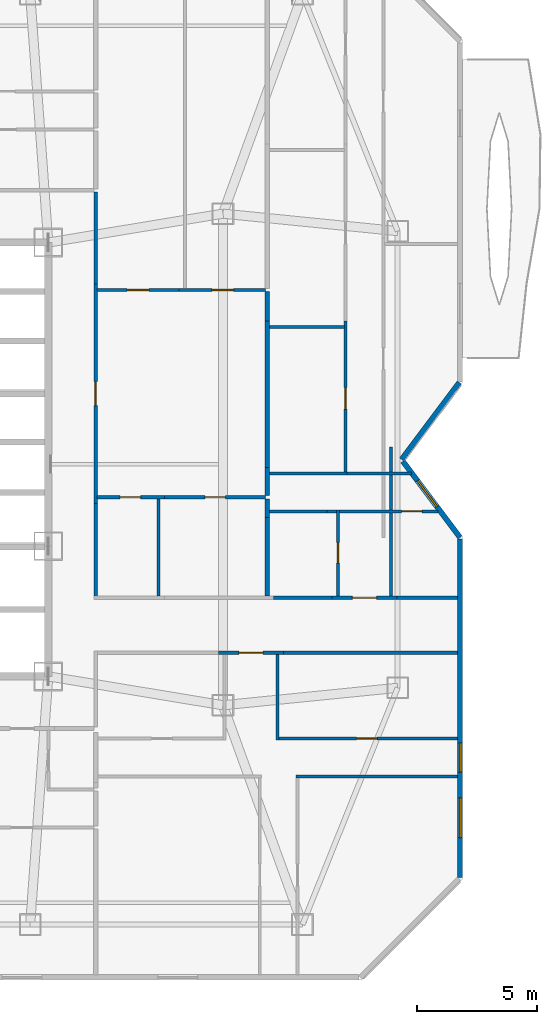
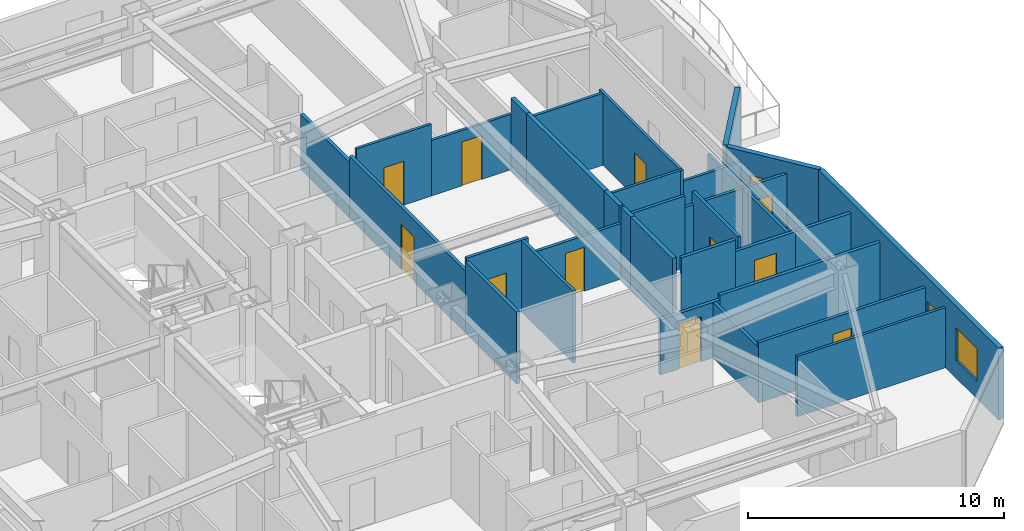
# One storey, part 11 of 16: 32 walls, 11 doors, 3 windows, 14 openings.
"""IFC4 building model written with IfcOpenShell, lengths in metres."""

from ifc_helpers import new_model, si_unit, direction, frame, frame_2d, origin, place, context, subcontext, project, spatial, rectangle, extrude, material, layer, layer_set, type_object, element, fill, save


model = new_model("IFC4")

# Units and contexts
model_context = context("Model", 3, precision=1e-05, world=origin(), true_north=direction((0.0, 1.0)))
body_context = subcontext(model_context, "Body", "Model", "MODEL_VIEW")
ifc_project = project(units=[si_unit("LENGTHUNIT", "METRE"), si_unit("AREAUNIT", "SQUARE_METRE"), si_unit("VOLUMEUNIT", "CUBIC_METRE"), si_unit("PLANEANGLEUNIT", "RADIAN"), si_unit("MASSUNIT", "GRAM", prefix="KILO")], contexts=[model_context])

# Site, building, storey
site_placement = place(None, origin())
site = spatial("IfcSite", under=ifc_project, at=site_placement, CompositionType="ELEMENT")
building_placement = place(site_placement, origin())
building = spatial("IfcBuilding", under=site, at=building_placement, Name="Khamvora Tower", CompositionType="ELEMENT")
storey_placement = place(building_placement, frame((0.0, 0.0, 134.75)))
storey = spatial("IfcBuildingStorey", under=building, at=storey_placement, Name="L34", CompositionType="ELEMENT", Elevation=134.75)

# Wall, opening, door
ifc_material_1 = material(Name="Fire-Rated Drywall and Steel Stud", Category="steel")
ifc_layer_1 = layer(ifc_material_1, 0.14990234375)
ifc_layer_set_1 = layer_set([ifc_layer_1], Name="Fire-Rated Drywall and Steel Stud")
wall_type_1 = type_object("IfcWallType", Name="WAL-CORR-150", PredefinedType="STANDARD", material=ifc_layer_set_1)
wall_1_placement = place(storey_placement, frame((49.158935546875, 19.985107421875, 0.0), z_axis=(0.0, 0.0, 1.0), x_axis=(-1.0, 0.0, 0.0)))
wall_1 = element("IfcWall", 1, at=wall_1_placement, inside=storey, type_object=wall_type_1, Name="L34 interior partition wall 033", PredefinedType="STANDARD", context=body_context, shape_type="SweptSolid", body=[
    extrude(rectangle(XDim=2.697998046875, YDim=0.14990234375, at=frame_2d((1.34912109375, 0.0))), origin(), (0.0, 0.0, 1.0), 2.64697265625),
])
opening_1_placement = place(wall_1_placement, frame((0.84912109375, 0.0, 0.0)))
opening_1 = element("IfcOpeningElement", 2, at=opening_1_placement, cuts=wall_1, Name="Opening D-U1", PredefinedType="OPENING", context=body_context, shape_type="SweptSolid", body=[
    extrude(rectangle(XDim=1.0, YDim=2.14990234375, at=frame_2d((0.5, 1.074951171875))), frame((0.0, 0.0849609375, 0.0), z_axis=(0.0, -1.0, 0.0), x_axis=(1.0, 0.0, 0.0)), (0.0, 0.0, 1.0), 0.169921875),
])
ifc_material_2 = material(Name="Powder-Coated Steel and Hardwood Leaf", Category="steel")
door_type_1 = type_object("IfcDoorType", Name="DOR-UNIT-1000", OperationType="NOTDEFINED", PredefinedType="DOOR", material=ifc_material_2)
door_1_placement = place(opening_1_placement, origin())
door_1 = element("IfcDoor", 3, at=door_1_placement, inside=storey, type_object=door_type_1, Name="L34 interior door COR-34EAH", OperationType="SINGLE_SWING_RIGHT", OverallHeight=2.14990234375, OverallWidth=1.0, PredefinedType="DOOR", context=body_context, shape_type="SweptSolid", body=[
    extrude(rectangle(XDim=1.0, YDim=2.14990234375, at=frame_2d((0.5, 1.074951171875))), frame((0.0, 0.02490234375, 0.0), z_axis=(0.0, -1.0, 0.0), x_axis=(1.0, 0.0, 0.0)), (0.0, 0.0, 1.0), 0.050048828125),
])
fill(opening_1, door_1)

# Wall
wall_2_placement = place(storey_placement, frame((56.387939453125, 19.985107421875, 0.0), z_axis=(0.0, 0.0, 1.0), x_axis=(-1.0, 0.0, 0.0)))
element("IfcWall", 4, at=wall_2_placement, inside=storey, type_object=wall_type_1, Name="L34 interior partition wall 036", PredefinedType="STANDARD", context=body_context, shape_type="SweptSolid", body=[
    extrude(rectangle(XDim=7.22900390625, YDim=0.14990234375, at=frame_2d((3.614501953125, 0.0))), origin(), (0.0, 0.0, 1.0), 2.8759765625),
])

# Wall, opening, door
wall_3_placement = place(storey_placement, frame((41.364990234375, 35.279052734375, 0.0), z_axis=(0.0, 0.0, 1.0), x_axis=(0.0, -1.0, 0.0)))
wall_3 = element("IfcWall", 5, at=wall_3_placement, inside=storey, type_object=wall_type_1, Name="L34 interior partition wall 037", PredefinedType="STANDARD", context=body_context, shape_type="SweptSolid", body=[
    extrude(rectangle(XDim=9.09814453125, YDim=0.14990234375, at=frame_2d((4.549072265625, 0.0))), origin(), (0.0, 0.0, 1.0), 2.9609375),
])
opening_2_placement = place(wall_3_placement, frame((4.049072265625, 0.0, 0.0)))
opening_2 = element("IfcOpeningElement", 6, at=opening_2_placement, cuts=wall_3, Name="Opening D-U1", PredefinedType="OPENING", context=body_context, shape_type="SweptSolid", body=[
    extrude(rectangle(XDim=1.0, YDim=2.14990234375, at=frame_2d((0.5, 1.074951171875))), frame((0.0, 0.0849609375, 0.0), z_axis=(0.0, -1.0, 0.0), x_axis=(1.0, 0.0, 0.0)), (0.0, 0.0, 1.0), 0.169921875),
])
door_2_placement = place(opening_2_placement, origin())
door_2 = element("IfcDoor", 7, at=door_2_placement, inside=storey, type_object=door_type_1, Name="L34 interior door COR-34EBH", OperationType="SINGLE_SWING_LEFT", OverallHeight=2.14990234375, OverallWidth=1.0, PredefinedType="DOOR", context=body_context, shape_type="SweptSolid", body=[
    extrude(rectangle(XDim=1.0, YDim=2.14990234375, at=frame_2d((0.5, 1.074951171875))), frame((0.0, 0.02490234375, 0.0), z_axis=(0.0, -1.0, 0.0), x_axis=(1.0, 0.0, 0.0)), (0.0, 0.0, 1.0), 0.050048828125),
])
fill(opening_2, door_2)

# Walls
wall_4_placement = place(storey_placement, frame((41.364990234375, 26.180908203125, 0.0), z_axis=(0.0, 0.0, 1.0), x_axis=(0.0, -1.0, 0.0)))
element("IfcWall", 8, at=wall_4_placement, inside=storey, type_object=wall_type_1, Name="L34 interior partition wall 038", PredefinedType="STANDARD", context=body_context, shape_type="SweptSolid", body=[
    extrude(rectangle(XDim=3.98095703125, YDim=0.14990234375, at=frame_2d((1.990478515625, 0.0))), origin(), (0.0, 0.0, 1.0), 3.429931640625),
])
wall_5_placement = place(storey_placement, frame((41.364990234375, 39.10009765625, 0.0), z_axis=(0.0, 0.0, 1.0), x_axis=(0.0, -1.0, 0.0)))
element("IfcWall", 9, at=wall_5_placement, inside=storey, type_object=wall_type_1, Name="L34 interior partition wall 041", PredefinedType="STANDARD", context=body_context, shape_type="SweptSolid", body=[
    extrude(rectangle(XDim=3.821044921875, YDim=0.14990234375, at=frame_2d((1.91064453125, 0.0))), origin(), (0.0, 0.0, 1.0), 2.64697265625),
])

# Wall, opening, door
wall_6_placement = place(storey_placement, frame((51.173095703125, 22.264892578125, 0.0), z_axis=(0.0, 0.0, 1.0), x_axis=(1.0, 0.0, 0.0)))
wall_6 = element("IfcWall", 10, at=wall_6_placement, inside=storey, type_object=wall_type_1, Name="L34 interior partition wall 042", PredefinedType="STANDARD", context=body_context, shape_type="SweptSolid", body=[
    extrude(rectangle(XDim=2.698974609375, YDim=0.14990234375, at=frame_2d((1.349609375, 0.0))), origin(), (0.0, 0.0, 1.0), 2.8759765625),
])
opening_3_placement = place(wall_6_placement, frame((0.84912109375, 0.0, 0.0)))
opening_3 = element("IfcOpeningElement", 11, at=opening_3_placement, cuts=wall_6, Name="Opening D-U1", PredefinedType="OPENING", context=body_context, shape_type="SweptSolid", body=[
    extrude(rectangle(XDim=1.0, YDim=2.14990234375, at=frame_2d((0.5, 1.074951171875))), frame((0.0, 0.0849609375, 0.0), z_axis=(0.0, -1.0, 0.0), x_axis=(1.0, 0.0, 0.0)), (0.0, 0.0, 1.0), 0.169921875),
])
door_3_placement = place(opening_3_placement, origin())
door_3 = element("IfcDoor", 12, at=door_3_placement, inside=storey, type_object=door_type_1, Name="L34 interior door COR-34ECH", OperationType="SINGLE_SWING_RIGHT", OverallHeight=2.14990234375, OverallWidth=1.0, PredefinedType="DOOR", context=body_context, shape_type="SweptSolid", body=[
    extrude(rectangle(XDim=1.0, YDim=2.14990234375, at=frame_2d((0.5, 1.074951171875))), frame((0.0, 0.02490234375, 0.0), z_axis=(0.0, -1.0, 0.0), x_axis=(1.0, 0.0, 0.0)), (0.0, 0.0, 1.0), 0.050048828125),
])
fill(opening_3, door_3)

# Walls
wall_7_placement = place(storey_placement, frame((53.8720703125, 22.264892578125, 0.0), z_axis=(0.0, 0.0, 1.0), x_axis=(1.0, 0.0, 0.0)))
element("IfcWall", 13, at=wall_7_placement, inside=storey, type_object=wall_type_1, Name="L34 interior partition wall 043", PredefinedType="STANDARD", context=body_context, shape_type="SweptSolid", body=[
    extrude(rectangle(XDim=2.515869140625, YDim=0.14990234375, at=frame_2d((1.2578125, 0.0))), origin(), (0.0, 0.0, 1.0), 2.8759765625),
])
wall_8_placement = place(storey_placement, frame((48.739013671875, 22.264892578125, 0.0), z_axis=(0.0, 0.0, 1.0), x_axis=(1.0, 0.0, 0.0)))
element("IfcWall", 14, at=wall_8_placement, inside=storey, type_object=wall_type_1, Name="L34 interior partition wall 044", PredefinedType="STANDARD", context=body_context, shape_type="SweptSolid", body=[
    extrude(rectangle(XDim=2.43408203125, YDim=0.14990234375, at=frame_2d((1.217041015625, 0.0))), origin(), (0.0, 0.0, 1.0), 3.429931640625),
])
ifc_material_3 = material(Name="Acoustic Double-Stud Fire Wall", Category="gypsum")
ifc_layer_2 = layer(ifc_material_3, 0.179931640625)
ifc_layer_set_2 = layer_set([ifc_layer_2], Name="Acoustic Double-Stud Fire Wall")
wall_type_2 = type_object("IfcWallType", Name="WAL-CORR-180", PredefinedType="STANDARD", material=ifc_layer_set_2)
wall_9_placement = place(storey_placement, frame((48.489990234375, 27.674072265625, 0.0), z_axis=(0.0, 0.0, 1.0), x_axis=(0.0, -1.0, 0.0)))
element("IfcWall", 15, at=wall_9_placement, inside=storey, type_object=wall_type_2, Name="L34 interior partition wall 144", PredefinedType="STANDARD", context=body_context, shape_type="SweptSolid", body=[
    extrude(rectangle(XDim=1.178955078125, YDim=0.179931640625, at=frame_2d((0.58935546875, 0.0))), origin(), (0.0, 0.0, 1.0), 3.429931640625),
])
wall_10_placement = place(storey_placement, frame((48.489990234375, 33.75, 0.0), z_axis=(0.0, 0.0, 1.0), x_axis=(0.0, -1.0, 0.0)))
element("IfcWall", 16, at=wall_10_placement, inside=storey, type_object=wall_type_2, Name="L34 interior partition wall 145", PredefinedType="STANDARD", context=body_context, shape_type="SweptSolid", body=[
    extrude(rectangle(XDim=6.075927734375, YDim=0.179931640625, at=frame_2d((3.0380859375, 0.0))), origin(), (0.0, 0.0, 1.0), 3.429931640625),
])
wall_11_placement = place(storey_placement, frame((48.489990234375, 34.965087890625, 0.0), z_axis=(0.0, 0.0, 1.0), x_axis=(0.0, -1.0, 0.0)))
element("IfcWall", 17, at=wall_11_placement, inside=storey, type_object=wall_type_2, Name="L34 interior partition wall 146", PredefinedType="STANDARD", context=body_context, shape_type="SweptSolid", body=[
    extrude(rectangle(XDim=1.215087890625, YDim=0.179931640625, at=frame_2d((0.607421875, 0.0))), origin(), (0.0, 0.0, 1.0), 3.429931640625),
])
wall_12_placement = place(storey_placement, frame((48.489990234375, 26.364990234375, 0.0), z_axis=(0.0, 0.0, 1.0), x_axis=(0.0, -1.0, 0.0)))
element("IfcWall", 18, at=wall_12_placement, inside=storey, type_object=wall_type_2, Name="L34 interior partition wall 151", PredefinedType="STANDARD", context=body_context, shape_type="SweptSolid", body=[
    extrude(rectangle(XDim=0.76904296875, YDim=0.179931640625, at=frame_2d((0.384521484375, 0.0))), origin(), (0.0, 0.0, 1.0), 3.429931640625),
])
wall_13_placement = place(storey_placement, frame((48.489990234375, 25.595947265625, 0.0), z_axis=(0.0, 0.0, 1.0), x_axis=(0.0, -1.0, 0.0)))
element("IfcWall", 19, at=wall_13_placement, inside=storey, type_object=wall_type_2, Name="L34 interior partition wall 152", PredefinedType="STANDARD", context=body_context, shape_type="SweptSolid", body=[
    extrude(rectangle(XDim=3.263916015625, YDim=0.179931640625, at=frame_2d((1.6318359375, 0.0))), origin(), (0.0, 0.0, 1.0), 3.429931640625),
])
ifc_material_4 = material(Name="Precast concrete C40/50", Category="concrete")
ifc_layer_3 = layer(ifc_material_4, 0.219970703125)
ifc_layer_set_3 = layer_set([ifc_layer_3], Name="Precast concrete C40/50")
wall_type_3 = type_object("IfcWallType", Name="WAL-EXT-220", PredefinedType="STANDARD", material=ifc_layer_set_3)
wall_14_placement = place(storey_placement, frame((56.4560546875, 31.19091796875, 0.0), z_axis=(0.0, 0.0, 1.0), x_axis=(-0.600137081448, -0.799897170561, 0.0)))
element("IfcWall", 20, at=wall_14_placement, inside=storey, type_object=wall_type_3, Name="L34 exterior facade wall 10.1", PredefinedType="STANDARD", context=body_context, shape_type="SweptSolid", body=[
    extrude(rectangle(XDim=3.9892578125, YDim=0.219970703125, at=frame_2d((1.99462890625, 0.0))), origin(), (0.0, 0.0, 1.0), 3.429931640625),
])

# Wall, opening, window
wall_15_placement = place(storey_placement, frame((54.118896484375, 27.924072265625, 0.0), z_axis=(0.0, 0.0, 1.0), x_axis=(0.600039540588, -0.799970343032, 0.0)))
wall_15 = element("IfcWall", 21, at=wall_15_placement, inside=storey, type_object=wall_type_3, Name="L34 exterior facade wall 11.1", PredefinedType="STANDARD", context=body_context, shape_type="SweptSolid", body=[
    extrude(rectangle(XDim=3.95166015625, YDim=0.219970703125, at=frame_2d((1.975830078125, 0.0))), origin(), (0.0, 0.0, 1.0), 3.429931640625),
])
opening_4_placement = place(wall_15_placement, frame((1.008056640625, 0.0, 0.85009765625)))
opening_4 = element("IfcOpeningElement", 22, at=opening_4_placement, cuts=wall_15, Name="Opening WN-07", PredefinedType="OPENING", context=body_context, shape_type="SweptSolid", body=[
    extrude(rectangle(XDim=1.35009765625, YDim=1.5, at=frame_2d((0.675048828125, 0.75))), frame((0.0, 0.119873046875, 0.0), z_axis=(0.0, -1.0, 0.0), x_axis=(1.0, 0.0, 0.0)), (0.0, 0.0, 1.0), 0.239990234375),
])
ifc_material_5 = material(Name="Low-E Laminated Double Glazing", Category="glass")
window_type_1 = type_object("IfcWindowType", Name="WIN-VIS-1350x1500", PartitioningType="SINGLE_PANEL", PredefinedType="WINDOW", material=ifc_material_5)
window_1_placement = place(opening_4_placement, origin())
window_1 = element("IfcWindow", 23, at=window_1_placement, inside=storey, type_object=window_type_1, Name="L34 vision window 11.1.01", OverallHeight=1.5, OverallWidth=1.35009765625, PartitioningType="SINGLE_PANEL", PredefinedType="WINDOW", context=body_context, shape_type="SweptSolid", body=[
    extrude(rectangle(XDim=1.35009765625, YDim=1.5, at=frame_2d((0.675048828125, 0.75))), frame((0.0, 0.030029296875, 0.0), z_axis=(0.0, -1.0, 0.0), x_axis=(1.0, 0.0, 0.0)), (0.0, 0.0, 1.0), 0.06005859375),
])
fill(opening_4, window_1)

# Wall, openings, windows
wall_16_placement = place(storey_placement, frame((56.489990234375, 24.70703125, 0.0), z_axis=(0.0, 0.0, 1.0), x_axis=(0.0, -1.0, 0.0)))
wall_16 = element("IfcWall", 24, at=wall_16_placement, inside=storey, type_object=wall_type_3, Name="L34 exterior facade wall 12.1", PredefinedType="STANDARD", context=body_context, shape_type="SweptSolid", body=[
    extrude(rectangle(XDim=14.06103515625, YDim=0.219970703125, at=frame_2d((7.030517578125, 0.0))), origin(), (0.0, 0.0, 1.0), 3.429931640625),
])
opening_5_placement = place(wall_16_placement, frame((8.47607421875, 0.0, 0.800048828125)))
opening_5 = element("IfcOpeningElement", 25, at=opening_5_placement, cuts=wall_16, Name="Opening WN-03", PredefinedType="OPENING", context=body_context, shape_type="SweptSolid", body=[
    extrude(rectangle(XDim=1.199951171875, YDim=1.5, at=frame_2d((0.60009765625, 0.75))), frame((0.0, 0.119873046875, 0.0), z_axis=(0.0, -1.0, 0.0), x_axis=(1.0, 0.0, 0.0)), (0.0, 0.0, 1.0), 0.239990234375),
])
opening_6_placement = place(wall_16_placement, frame((10.74609375, 0.0, 0.85009765625)))
opening_6 = element("IfcOpeningElement", 26, at=opening_6_placement, cuts=wall_16, Name="Opening WN-06", PredefinedType="OPENING", context=body_context, shape_type="SweptSolid", body=[
    extrude(rectangle(XDim=1.64990234375, YDim=1.550048828125, at=frame_2d((0.824951171875, 0.77490234375))), frame((0.0, 0.119873046875, 0.0), z_axis=(0.0, -1.0, 0.0), x_axis=(1.0, 0.0, 0.0)), (0.0, 0.0, 1.0), 0.239990234375),
])
window_type_2 = type_object("IfcWindowType", Name="WIN-VIS-1200x1500", PartitioningType="SINGLE_PANEL", PredefinedType="WINDOW", material=ifc_material_5)
window_2_placement = place(opening_5_placement, origin())
window_2 = element("IfcWindow", 27, at=window_2_placement, inside=storey, type_object=window_type_2, Name="L34 vision window 12.1.01", OverallHeight=1.5, OverallWidth=1.199951171875, PartitioningType="SINGLE_PANEL", PredefinedType="WINDOW", context=body_context, shape_type="SweptSolid", body=[
    extrude(rectangle(XDim=1.199951171875, YDim=1.5, at=frame_2d((0.60009765625, 0.75))), frame((0.0, 0.030029296875, 0.0), z_axis=(0.0, -1.0, 0.0), x_axis=(1.0, 0.0, 0.0)), (0.0, 0.0, 1.0), 0.06005859375),
])
fill(opening_5, window_2)
window_type_3 = type_object("IfcWindowType", Name="WIN-VIS-1650x1550", PartitioningType="SINGLE_PANEL", PredefinedType="WINDOW", material=ifc_material_5)
window_3_placement = place(opening_6_placement, origin())
window_3 = element("IfcWindow", 28, at=window_3_placement, inside=storey, type_object=window_type_3, Name="L34 vision window 12.1.02", OverallHeight=1.550048828125, OverallWidth=1.64990234375, PartitioningType="SINGLE_PANEL", PredefinedType="WINDOW", context=body_context, shape_type="SweptSolid", body=[
    extrude(rectangle(XDim=1.64990234375, YDim=1.550048828125, at=frame_2d((0.824951171875, 0.77490234375))), frame((0.0, 0.030029296875, 0.0), z_axis=(0.0, -1.0, 0.0), x_axis=(1.0, 0.0, 0.0)), (0.0, 0.0, 1.0), 0.06005859375),
])
fill(opening_6, window_3)

# Wall
ifc_material_6 = material(Name="Gypsum Plasterboard Partition", Category="gypsum")
ifc_layer_4 = layer(ifc_material_6, 0.1201171875)
ifc_layer_set_4 = layer_set([ifc_layer_4], Name="Gypsum Plasterboard Partition")
wall_type_4 = type_object("IfcWallType", Name="WAL-PART-120", PredefinedType="PARTITIONING", material=ifc_layer_set_4)
wall_17_placement = place(storey_placement, frame((56.387939453125, 14.841064453125, 0.0), z_axis=(0.0, 0.0, 1.0), x_axis=(-1.0, 0.0, 0.0)))
element("IfcWall", 29, at=wall_17_placement, inside=storey, type_object=wall_type_4, Name="L34 interior partition wall 138", PredefinedType="PARTITIONING", context=body_context, shape_type="SweptSolid", body=[
    extrude(rectangle(XDim=6.7080078125, YDim=0.1201171875, at=frame_2d((3.35400390625, 0.0))), origin(), (0.0, 0.0, 1.0), 2.8759765625),
])

# Wall, opening, door
wall_18_placement = place(storey_placement, frame((44.818115234375, 35.030029296875, 0.0), z_axis=(0.0, 0.0, 1.0), x_axis=(1.0, 0.0, 0.0)))
wall_18 = element("IfcWall", 30, at=wall_18_placement, inside=storey, type_object=wall_type_4, Name="L34 interior partition wall 140", PredefinedType="PARTITIONING", context=body_context, shape_type="SweptSolid", body=[
    extrude(rectangle(XDim=3.60693359375, YDim=0.1201171875, at=frame_2d((1.803466796875, 0.0))), origin(), (0.0, 0.0, 1.0), 2.64697265625),
])
opening_7_placement = place(wall_18_placement, frame((1.375, 0.0, 0.0)))
opening_7 = element("IfcOpeningElement", 31, at=opening_7_placement, cuts=wall_18, Name="Opening D-RM1", PredefinedType="OPENING", context=body_context, shape_type="SweptSolid", body=[
    extrude(rectangle(XDim=0.89990234375, YDim=2.10009765625, at=frame_2d((0.449951171875, 1.050048828125))), frame((0.0, 0.070068359375, 0.0), z_axis=(0.0, -1.0, 0.0), x_axis=(1.0, 0.0, 0.0)), (0.0, 0.0, 1.0), 0.14013671875),
])
door_type_2 = type_object("IfcDoorType", Name="DOR-ROOM-900", OperationType="NOTDEFINED", PredefinedType="DOOR", material=ifc_material_2)
door_4_placement = place(opening_7_placement, origin())
door_4 = element("IfcDoor", 32, at=door_4_placement, inside=storey, type_object=door_type_2, Name="L34 interior door 34EBH-34EBR2", OperationType="SINGLE_SWING_LEFT", OverallHeight=2.10009765625, OverallWidth=0.89990234375, PredefinedType="DOOR", context=body_context, shape_type="SweptSolid", body=[
    extrude(rectangle(XDim=0.89990234375, YDim=2.10009765625, at=frame_2d((0.449951171875, 1.050048828125))), frame((0.0, 0.02490234375, 0.0), z_axis=(0.0, -1.0, 0.0), x_axis=(1.0, 0.0, 0.0)), (0.0, 0.0, 1.0), 0.050048828125),
])
fill(opening_7, door_4)

wall_19_placement = place(storey_placement, frame((41.431884765625, 35.030029296875, 0.0), z_axis=(0.0, 0.0, 1.0), x_axis=(1.0, 0.0, 0.0)))
wall_19 = element("IfcWall", 33, at=wall_19_placement, inside=storey, type_object=wall_type_4, Name="L34 interior partition wall 143", PredefinedType="PARTITIONING", context=body_context, shape_type="SweptSolid", body=[
    extrude(rectangle(XDim=3.38623046875, YDim=0.1201171875, at=frame_2d((1.693115234375, 0.0))), origin(), (0.0, 0.0, 1.0), 3.429931640625),
])
opening_8_placement = place(wall_19_placement, frame((1.242919921875, 0.0, 0.0)))
opening_8 = element("IfcOpeningElement", 34, at=opening_8_placement, cuts=wall_19, Name="Opening D-RM1", PredefinedType="OPENING", context=body_context, shape_type="SweptSolid", body=[
    extrude(rectangle(XDim=0.89990234375, YDim=2.10009765625, at=frame_2d((0.449951171875, 1.050048828125))), frame((0.0, 0.070068359375, 0.0), z_axis=(0.0, -1.0, 0.0), x_axis=(1.0, 0.0, 0.0)), (0.0, 0.0, 1.0), 0.14013671875),
])
door_5_placement = place(opening_8_placement, origin())
door_5 = element("IfcDoor", 35, at=door_5_placement, inside=storey, type_object=door_type_2, Name="L34 interior door 34EBH-34EBR1", OperationType="SINGLE_SWING_RIGHT", OverallHeight=2.10009765625, OverallWidth=0.89990234375, PredefinedType="DOOR", context=body_context, shape_type="SweptSolid", body=[
    extrude(rectangle(XDim=0.89990234375, YDim=2.10009765625, at=frame_2d((0.449951171875, 1.050048828125))), frame((0.0, 0.02490234375, 0.0), z_axis=(0.0, -1.0, 0.0), x_axis=(1.0, 0.0, 0.0)), (0.0, 0.0, 1.0), 0.050048828125),
])
fill(opening_8, door_5)

# Wall
wall_20_placement = place(storey_placement, frame((48.572021484375, 27.425048828125, 0.0), z_axis=(0.0, 0.0, 1.0), x_axis=(1.0, 0.0, 0.0)))
element("IfcWall", 36, at=wall_20_placement, inside=storey, type_object=wall_type_4, Name="L34 interior partition wall 157", PredefinedType="PARTITIONING", context=body_context, shape_type="SweptSolid", body=[
    extrude(rectangle(XDim=3.23095703125, YDim=0.1201171875, at=frame_2d((1.615478515625, 0.0))), origin(), (0.0, 0.0, 1.0), 3.429931640625),
])

# Wall, opening, door
wall_21_placement = place(storey_placement, frame((51.738037109375, 27.360107421875, 0.0), z_axis=(0.0, 0.0, 1.0), x_axis=(0.0, 1.0, 0.0)))
wall_21 = element("IfcWall", 37, at=wall_21_placement, inside=storey, type_object=wall_type_4, Name="L34 interior partition wall 158", PredefinedType="PARTITIONING", context=body_context, shape_type="SweptSolid", body=[
    extrude(rectangle(XDim=6.389892578125, YDim=0.1201171875, at=frame_2d((3.19482421875, 0.0))), origin(), (0.0, 0.0, 1.0), 3.429931640625),
])
opening_9_placement = place(wall_21_placement, frame((2.72412109375, 0.0, 0.0)))
opening_9 = element("IfcOpeningElement", 38, at=opening_9_placement, cuts=wall_21, Name="Opening D-RM1", PredefinedType="OPENING", context=body_context, shape_type="SweptSolid", body=[
    extrude(rectangle(XDim=0.89990234375, YDim=2.10009765625, at=frame_2d((0.449951171875, 1.050048828125))), frame((0.0, 0.070068359375, 0.0), z_axis=(0.0, -1.0, 0.0), x_axis=(1.0, 0.0, 0.0)), (0.0, 0.0, 1.0), 0.14013671875),
])
door_6_placement = place(opening_9_placement, origin())
door_6 = element("IfcDoor", 39, at=door_6_placement, inside=storey, type_object=door_type_2, Name="L34 interior door 34ECH-34ECL", OperationType="SINGLE_SWING_LEFT", OverallHeight=2.10009765625, OverallWidth=0.89990234375, PredefinedType="DOOR", context=body_context, shape_type="SweptSolid", body=[
    extrude(rectangle(XDim=0.89990234375, YDim=2.10009765625, at=frame_2d((0.449951171875, 1.050048828125))), frame((0.0, 0.02490234375, 0.0), z_axis=(0.0, -1.0, 0.0), x_axis=(1.0, 0.0, 0.0)), (0.0, 0.0, 1.0), 0.050048828125),
])
fill(opening_9, door_6)

# Walls
wall_22_placement = place(storey_placement, frame((51.802978515625, 27.425048828125, 0.0), z_axis=(0.0, 0.0, 1.0), x_axis=(1.0, 0.0, 0.0)))
element("IfcWall", 40, at=wall_22_placement, inside=storey, type_object=wall_type_4, Name="L34 interior partition wall 161", PredefinedType="PARTITIONING", context=body_context, shape_type="SweptSolid", body=[
    extrude(rectangle(XDim=2.677978515625, YDim=0.1201171875, at=frame_2d((1.3388671875, 0.0))), origin(), (0.0, 0.0, 1.0), 2.8759765625),
])
wall_23_placement = place(storey_placement, frame((48.572021484375, 33.5009765625, 0.0), z_axis=(0.0, 0.0, 1.0), x_axis=(1.0, 0.0, 0.0)))
element("IfcWall", 41, at=wall_23_placement, inside=storey, type_object=wall_type_4, Name="L34 interior partition wall 164", PredefinedType="PARTITIONING", context=body_context, shape_type="SweptSolid", body=[
    extrude(rectangle(XDim=3.112060546875, YDim=0.1201171875, at=frame_2d((1.55615234375, 0.0))), origin(), (0.0, 0.0, 1.0), 3.429931640625),
])
ifc_material_7 = material(Name="Moisture-Resistant Plasterboard Partition", Category="gypsum")
ifc_layer_5 = layer(ifc_material_7, 0.135009765625)
ifc_layer_set_5 = layer_set([ifc_layer_5], Name="Moisture-Resistant Plasterboard Partition")
wall_type_5 = type_object("IfcWallType", Name="WAL-WET-135", PredefinedType="PARTITIONING", material=ifc_layer_set_5)
wall_24_placement = place(storey_placement, frame((48.909912109375, 19.91796875, 0.0), z_axis=(0.0, 0.0, 1.0), x_axis=(0.0, -1.0, 0.0)))
element("IfcWall", 42, at=wall_24_placement, inside=storey, type_object=wall_type_5, Name="L34 interior partition wall 134", PredefinedType="PARTITIONING", context=body_context, shape_type="SweptSolid", body=[
    extrude(rectangle(XDim=3.56201171875, YDim=0.135009765625, at=frame_2d((1.781005859375, 0.0))), origin(), (0.0, 0.0, 1.0), 2.64697265625),
])

# Wall, opening, door
wall_25_placement = place(storey_placement, frame((48.844970703125, 16.4208984375, 0.0), z_axis=(0.0, 0.0, 1.0), x_axis=(1.0, 0.0, 0.0)))
wall_25 = element("IfcWall", 43, at=wall_25_placement, inside=storey, type_object=wall_type_5, Name="L34 interior partition wall 135", PredefinedType="PARTITIONING", context=body_context, shape_type="SweptSolid", body=[
    extrude(rectangle(XDim=7.54296875, YDim=0.135009765625, at=frame_2d((3.771484375, 0.0))), origin(), (0.0, 0.0, 1.0), 2.8759765625),
])
opening_10_placement = place(wall_25_placement, frame((3.346923828125, 0.0, 0.0)))
opening_10 = element("IfcOpeningElement", 44, at=opening_10_placement, cuts=wall_25, Name="Opening D-RM2", PredefinedType="OPENING", context=body_context, shape_type="SweptSolid", body=[
    extrude(rectangle(XDim=0.85009765625, YDim=2.10009765625, at=frame_2d((0.425048828125, 1.050048828125))), frame((0.0, 0.077392578125, 0.0), z_axis=(0.0, -1.0, 0.0), x_axis=(1.0, 0.0, 0.0)), (0.0, 0.0, 1.0), 0.155029296875),
])
door_type_3 = type_object("IfcDoorType", Name="DOR-ROOM-850", OperationType="NOTDEFINED", PredefinedType="DOOR", material=ifc_material_2)
door_7_placement = place(opening_10_placement, origin())
door_7 = element("IfcDoor", 45, at=door_7_placement, inside=storey, type_object=door_type_3, Name="L34 interior door 34EAH-34EAK", OperationType="SINGLE_SWING_RIGHT", OverallHeight=2.10009765625, OverallWidth=0.85009765625, PredefinedType="DOOR", context=body_context, shape_type="SweptSolid", body=[
    extrude(rectangle(XDim=0.85009765625, YDim=2.10009765625, at=frame_2d((0.425048828125, 1.050048828125))), frame((0.0, 0.02490234375, 0.0), z_axis=(0.0, -1.0, 0.0), x_axis=(1.0, 0.0, 0.0)), (0.0, 0.0, 1.0), 0.050048828125),
])
fill(opening_10, door_7)

wall_26_placement = place(storey_placement, frame((44.22900390625, 26.429931640625, 0.0), z_axis=(0.0, 0.0, 1.0), x_axis=(-1.0, 0.0, 0.0)))
wall_26 = element("IfcWall", 46, at=wall_26_placement, inside=storey, type_object=wall_type_5, Name="L34 interior partition wall 141", PredefinedType="PARTITIONING", context=body_context, shape_type="SweptSolid", body=[
    extrude(rectangle(XDim=2.797119140625, YDim=0.135009765625, at=frame_2d((1.3984375, 0.0))), origin(), (0.0, 0.0, 1.0), 3.429931640625),
])
opening_11_placement = place(wall_26_placement, frame((0.993896484375, 0.0, 0.0)))
opening_11 = element("IfcOpeningElement", 47, at=opening_11_placement, cuts=wall_26, Name="Opening D-WC1", PredefinedType="OPENING", context=body_context, shape_type="SweptSolid", body=[
    extrude(rectangle(XDim=0.85009765625, YDim=2.10009765625, at=frame_2d((0.425048828125, 1.050048828125))), frame((0.0, 0.077392578125, 0.0), z_axis=(0.0, -1.0, 0.0), x_axis=(1.0, 0.0, 0.0)), (0.0, 0.0, 1.0), 0.155029296875),
])
door_type_4 = type_object("IfcDoorType", Name="DOR-WET-850", OperationType="NOTDEFINED", PredefinedType="DOOR", material=ifc_material_2)
door_8_placement = place(opening_11_placement, origin())
door_8 = element("IfcDoor", 48, at=door_8_placement, inside=storey, type_object=door_type_4, Name="L34 interior door 34EBH-34EBB", OperationType="SINGLE_SWING_RIGHT", OverallHeight=2.10009765625, OverallWidth=0.85009765625, PredefinedType="DOOR", context=body_context, shape_type="SweptSolid", body=[
    extrude(rectangle(XDim=0.85009765625, YDim=2.10009765625, at=frame_2d((0.425048828125, 1.050048828125))), frame((0.0, 0.02490234375, 0.0), z_axis=(0.0, -1.0, 0.0), x_axis=(1.0, 0.0, 0.0)), (0.0, 0.0, 1.0), 0.050048828125),
])
fill(opening_11, door_8)

wall_27_placement = place(storey_placement, frame((48.425048828125, 26.429931640625, 0.0), z_axis=(0.0, 0.0, 1.0), x_axis=(-1.0, 0.0, 0.0)))
wall_27 = element("IfcWall", 49, at=wall_27_placement, inside=storey, type_object=wall_type_5, Name="L34 interior partition wall 142", PredefinedType="PARTITIONING", context=body_context, shape_type="SweptSolid", body=[
    extrude(rectangle(XDim=4.196044921875, YDim=0.135009765625, at=frame_2d((2.09814453125, 0.0))), origin(), (0.0, 0.0, 1.0), 2.64697265625),
])
opening_12_placement = place(wall_27_placement, frame((1.673095703125, 0.0, 0.0)))
opening_12 = element("IfcOpeningElement", 50, at=opening_12_placement, cuts=wall_27, Name="Opening D-RM2", PredefinedType="OPENING", context=body_context, shape_type="SweptSolid", body=[
    extrude(rectangle(XDim=0.85009765625, YDim=2.10009765625, at=frame_2d((0.425048828125, 1.050048828125))), frame((0.0, 0.077392578125, 0.0), z_axis=(0.0, -1.0, 0.0), x_axis=(1.0, 0.0, 0.0)), (0.0, 0.0, 1.0), 0.155029296875),
])
door_9_placement = place(opening_12_placement, origin())
door_9 = element("IfcDoor", 51, at=door_9_placement, inside=storey, type_object=door_type_3, Name="L34 interior door 34EBH-34EBK", OperationType="SINGLE_SWING_LEFT", OverallHeight=2.10009765625, OverallWidth=0.85009765625, PredefinedType="DOOR", context=body_context, shape_type="SweptSolid", body=[
    extrude(rectangle(XDim=0.85009765625, YDim=2.10009765625, at=frame_2d((0.425048828125, 1.050048828125))), frame((0.0, 0.02490234375, 0.0), z_axis=(0.0, -1.0, 0.0), x_axis=(1.0, 0.0, 0.0)), (0.0, 0.0, 1.0), 0.050048828125),
])
fill(opening_12, door_9)

# Wall
wall_28_placement = place(storey_placement, frame((43.97998046875, 26.368896484375, 0.0), z_axis=(0.0, 0.0, 1.0), x_axis=(0.0, -1.0, 0.0)))
element("IfcWall", 52, at=wall_28_placement, inside=storey, type_object=wall_type_5, Name="L34 interior partition wall 150", PredefinedType="PARTITIONING", context=body_context, shape_type="SweptSolid", body=[
    extrude(rectangle(XDim=4.036865234375, YDim=0.135009765625, at=frame_2d((2.0185546875, 0.0))), origin(), (0.0, 0.0, 1.0), 3.429931640625),
])

# Wall, opening, door
wall_29_placement = place(storey_placement, frame((55.56689453125, 25.844970703125, 0.0), z_axis=(0.0, 0.0, 1.0), x_axis=(-1.0, 0.0, 0.0)))
wall_29 = element("IfcWall", 53, at=wall_29_placement, inside=storey, type_object=wall_type_5, Name="L34 interior partition wall 153", PredefinedType="PARTITIONING", context=body_context, shape_type="SweptSolid", body=[
    extrude(rectangle(XDim=4.60888671875, YDim=0.135009765625, at=frame_2d((2.304443359375, 0.0))), origin(), (0.0, 0.0, 1.0), 2.8759765625),
])
opening_13_placement = place(wall_29_placement, frame((0.65087890625, 0.0, 0.0)))
opening_13 = element("IfcOpeningElement", 54, at=opening_13_placement, cuts=wall_29, Name="Opening D-WC1", PredefinedType="OPENING", context=body_context, shape_type="SweptSolid", body=[
    extrude(rectangle(XDim=0.85009765625, YDim=2.10009765625, at=frame_2d((0.425048828125, 1.050048828125))), frame((0.0, 0.077392578125, 0.0), z_axis=(0.0, -1.0, 0.0), x_axis=(1.0, 0.0, 0.0)), (0.0, 0.0, 1.0), 0.155029296875),
])
door_10_placement = place(opening_13_placement, origin())
door_10 = element("IfcDoor", 55, at=door_10_placement, inside=storey, type_object=door_type_4, Name="L34 interior door 34ECH-34ECB", OperationType="SINGLE_SWING_LEFT", OverallHeight=2.10009765625, OverallWidth=0.85009765625, PredefinedType="DOOR", context=body_context, shape_type="SweptSolid", body=[
    extrude(rectangle(XDim=0.85009765625, YDim=2.10009765625, at=frame_2d((0.425048828125, 1.050048828125))), frame((0.0, 0.02490234375, 0.0), z_axis=(0.0, -1.0, 0.0), x_axis=(1.0, 0.0, 0.0)), (0.0, 0.0, 1.0), 0.050048828125),
])
fill(opening_13, door_10)

# Wall
wall_30_placement = place(storey_placement, frame((53.623046875, 28.510009765625, 0.0), z_axis=(0.0, 0.0, 1.0), x_axis=(0.0, -1.0, 0.0)))
element("IfcWall", 56, at=wall_30_placement, inside=storey, type_object=wall_type_5, Name="L34 interior partition wall 154", PredefinedType="PARTITIONING", context=body_context, shape_type="SweptSolid", body=[
    extrude(rectangle(XDim=6.177978515625, YDim=0.135009765625, at=frame_2d((3.0888671875, 0.0))), origin(), (0.0, 0.0, 1.0), 2.8759765625),
])

# Wall, opening, door
wall_31_placement = place(storey_placement, frame((51.422119140625, 22.33203125, 0.0), z_axis=(0.0, 0.0, 1.0), x_axis=(0.0, 1.0, 0.0)))
wall_31 = element("IfcWall", 57, at=wall_31_placement, inside=storey, type_object=wall_type_5, Name="L34 interior partition wall 155", PredefinedType="PARTITIONING", context=body_context, shape_type="SweptSolid", body=[
    extrude(rectangle(XDim=3.577880859375, YDim=0.135009765625, at=frame_2d((1.7890625, 0.0))), origin(), (0.0, 0.0, 1.0), 3.429931640625),
])
opening_14_placement = place(wall_31_placement, frame((1.364013671875, 0.0, 0.0)))
opening_14 = element("IfcOpeningElement", 58, at=opening_14_placement, cuts=wall_31, Name="Opening D-RM2", PredefinedType="OPENING", context=body_context, shape_type="SweptSolid", body=[
    extrude(rectangle(XDim=0.85009765625, YDim=2.10009765625, at=frame_2d((0.425048828125, 1.050048828125))), frame((0.0, 0.077392578125, 0.0), z_axis=(0.0, -1.0, 0.0), x_axis=(1.0, 0.0, 0.0)), (0.0, 0.0, 1.0), 0.155029296875),
])
door_11_placement = place(opening_14_placement, origin())
door_11 = element("IfcDoor", 59, at=door_11_placement, inside=storey, type_object=door_type_3, Name="L34 interior door 34ECH-34ECK", OperationType="SINGLE_SWING_RIGHT", OverallHeight=2.10009765625, OverallWidth=0.85009765625, PredefinedType="DOOR", context=body_context, shape_type="SweptSolid", body=[
    extrude(rectangle(XDim=0.85009765625, YDim=2.10009765625, at=frame_2d((0.425048828125, 1.050048828125))), frame((0.0, 0.02490234375, 0.0), z_axis=(0.0, -1.0, 0.0), x_axis=(1.0, 0.0, 0.0)), (0.0, 0.0, 1.0), 0.050048828125),
])
fill(opening_14, door_11)

# Wall
wall_32_placement = place(storey_placement, frame((50.9580078125, 25.844970703125, 0.0), z_axis=(0.0, 0.0, 1.0), x_axis=(-1.0, 0.0, 0.0)))
element("IfcWall", 60, at=wall_32_placement, inside=storey, type_object=wall_type_5, Name="L34 interior partition wall 156", PredefinedType="PARTITIONING", context=body_context, shape_type="SweptSolid", body=[
    extrude(rectangle(XDim=2.385986328125, YDim=0.135009765625, at=frame_2d((1.19287109375, 0.0))), origin(), (0.0, 0.0, 1.0), 3.429931640625),
])

save(model, "model.ifc")
